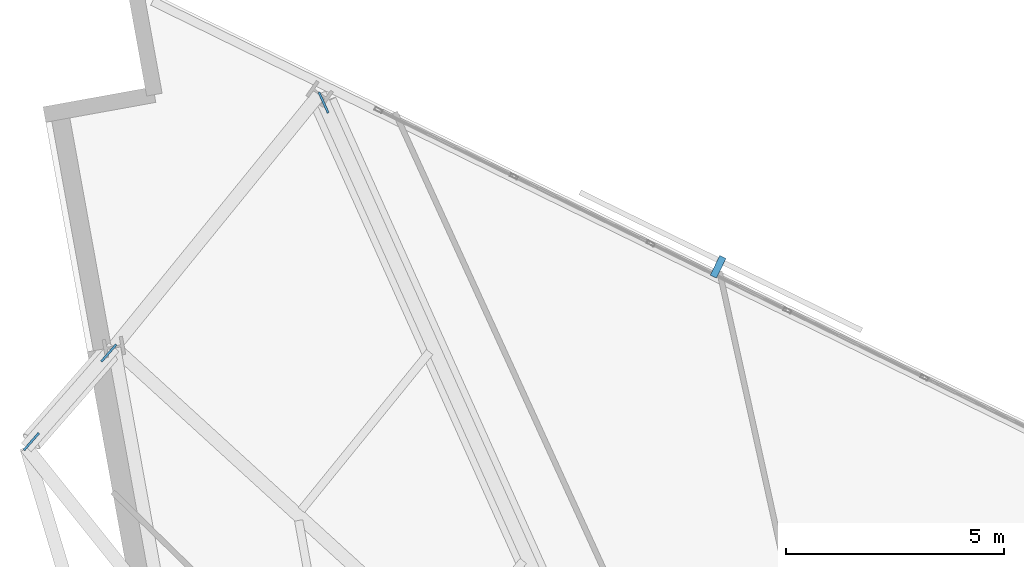
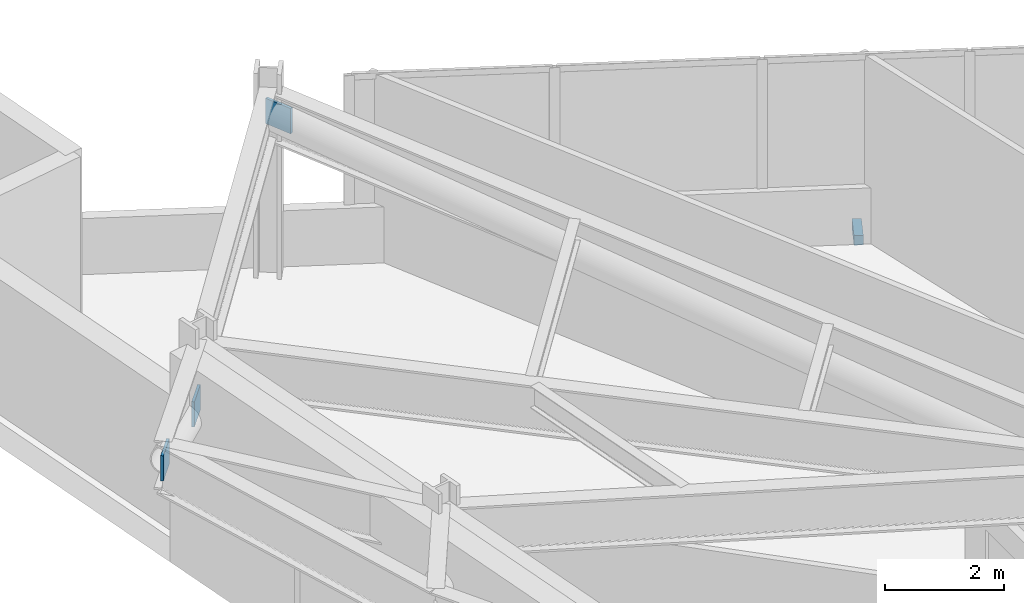
# One storey, part 17 of 19: 4 discrete accessories.
"""IFC4 building model written with IfcOpenShell, lengths in metres."""

import ifcopenshell
import ifcopenshell.guid

model = None  # the IFC model being written
_history = None  # IfcOwnerHistory: only IFC2X3 demands one
_inside = {}  # id of a spatial element -> (the spatial element, [elements in it])
_under = {}  # id of a project, library or spatial element -> (it, [spatial elements below it])
_declared = {}  # id of a project -> (the project, [libraries it declares])
_typed = {}  # id of a type object -> (the type object, [elements of that type])
_made_of = {}  # id of a material, layer set ... -> (it, [elements and type objects made of it])


def new_model(schema):
    """Start an empty IFC model of exactly this schema.

    Asked for "IFC4X3", IfcOpenShell would pick the latest addendum, in which some entities
    have other attributes; the version numbers below select the first issue.
    IFC2X3 requires an IfcOwnerHistory on every rooted entity: one is made here for all.
    """
    global model, _history
    if schema == "IFC4X3":
        model = ifcopenshell.file(schema_version=(4, 3, 0, 0))
    else:
        model = ifcopenshell.file(schema=schema)
    _inside.clear()
    _under.clear()
    _declared.clear()
    _typed.clear()
    _made_of.clear()
    _history = None
    if model.schema == "IFC2X3":
        org = make("IfcOrganization", Name="unknown")
        user = make(
            "IfcPersonAndOrganization",
            ThePerson=make("IfcPerson", FamilyName="unknown"),
            TheOrganization=org,
        )
        app = make(
            "IfcApplication",
            ApplicationDeveloper=org,
            Version="unknown",
            ApplicationFullName="unknown",
            ApplicationIdentifier="unknown",
        )
        _history = make(
            "IfcOwnerHistory",
            OwningUser=user,
            OwningApplication=app,
            ChangeAction="ADDED",
            CreationDate=0,
        )
    return model


def make(cls, **values):
    """One entity of the class cls with the attributes given. An attribute that is None is left unset."""
    return model.create_entity(
        cls, **{name: value for name, value in values.items() if value is not None}
    )


def rooted(cls, **values):
    """An entity with a GlobalId (a new one), such as an element, a storey or a relation."""
    return make(cls, GlobalId=ifcopenshell.guid.new(), OwnerHistory=_history, **values)


def si_unit(unit_type, name, prefix=None):
    """IfcSIUnit, for example si_unit("LENGTHUNIT", "METRE", prefix="MILLI")."""
    return make("IfcSIUnit", UnitType=unit_type, Prefix=prefix, Name=name)


def assignment(units):
    """IfcUnitAssignment: the units of a project."""
    return None if units is None else make("IfcUnitAssignment", Units=units)


def point(xyz):
    """IfcCartesianPoint."""
    return None if xyz is None else make("IfcCartesianPoint", Coordinates=xyz)


def direction(xyz):
    """IfcDirection."""
    return None if xyz is None else make("IfcDirection", DirectionRatios=xyz)


def frame(location, z_axis=None, x_axis=None):
    """IfcAxis2Placement3D, a coordinate frame: its origin and axes. An axis left out is left unset."""
    return make(
        "IfcAxis2Placement3D",
        Location=point(location),
        Axis=direction(z_axis),
        RefDirection=direction(x_axis),
    )


def frame_2d(location, x_axis=None):
    """IfcAxis2Placement2D, a coordinate frame in the plane: its origin and x axis."""
    return make(
        "IfcAxis2Placement2D", Location=point(location), RefDirection=direction(x_axis)
    )


def origin():
    """The frame at (0, 0, 0) with its axes left unset."""
    return frame((0.0, 0.0, 0.0))


def origin_2d():
    """The frame at (0, 0) in the plane with its x axis left unset."""
    return frame_2d((0.0, 0.0))


def place(relative_to, where):
    """IfcLocalPlacement: puts the frame where relative to a parent placement (None: the world)."""
    return make(
        "IfcLocalPlacement", PlacementRelTo=relative_to, RelativePlacement=where
    )


def context(
    kind, dimensions, precision=None, world=None, true_north=None, identifier=None
):
    """IfcGeometricRepresentationContext, for example the 3D "Model" context."""
    return make(
        "IfcGeometricRepresentationContext",
        ContextIdentifier=identifier,
        ContextType=kind,
        CoordinateSpaceDimension=dimensions,
        Precision=precision,
        WorldCoordinateSystem=world,
        TrueNorth=true_north,
    )


def subcontext(parent, identifier, kind, view, scale=None):
    """IfcGeometricRepresentationSubContext, for example "Body" below "Model"."""
    return make(
        "IfcGeometricRepresentationSubContext",
        ContextIdentifier=identifier,
        ContextType=kind,
        ParentContext=parent,
        TargetScale=scale,
        TargetView=view,
    )


def project(units=None, contexts=None):
    """IfcProject with its units and contexts."""
    return rooted(
        "IfcProject",
        Name="project",
        RepresentationContexts=contexts,
        UnitsInContext=assignment(units),
    )


def spatial(cls, under=None, at=None, **own):
    """A site, building, storey or space (cls), placed at a placement, below another one or the project."""
    s = rooted(cls, ObjectPlacement=at, **own)
    if under is not None:
        _under.setdefault(under.id(), (under, []))[1].append(s)
    return s


def profile(cls, at=None, kind="AREA", **sizes):
    """A parametric profile (cls). Its sizes go by their IFC names, for example OverallWidth=200.0."""
    return make(cls, ProfileType=kind, Position=at, **sizes)


def rectangle(**sizes):
    """IfcRectangleProfileDef."""
    return profile("IfcRectangleProfileDef", **sizes)


def extrude(swept, where, along, depth):
    """IfcExtrudedAreaSolid: the profile swept, set in the frame where, extruded along a direction by depth."""
    return make(
        "IfcExtrudedAreaSolid",
        SweptArea=swept,
        Position=where,
        ExtrudedDirection=direction(along),
        Depth=depth,
    )


def shape(context_of_items, identifier, shape_type, items):
    """IfcShapeRepresentation: the items that make up one representation, for example the "Body"."""
    return make(
        "IfcShapeRepresentation",
        ContextOfItems=context_of_items,
        RepresentationIdentifier=identifier,
        RepresentationType=shape_type,
        Items=items,
    )


def material(Name=None, Category=None):
    """IfcMaterial."""
    return make("IfcMaterial", Name=Name, Category=Category)


def made_of(thing, what):
    """Note that an element or type object is made of a material, layer set ...; save() writes the relation."""
    if what is not None:
        _made_of.setdefault(what.id(), (what, []))[1].append(thing)
    return thing


def type_object(cls, material=None, **own):
    """A type object (cls), such as IfcWallType, which elements share."""
    return made_of(rooted(cls, **own), material)


def element(
    cls,
    number,
    at=None,
    inside=None,
    cuts=None,
    type_object=None,
    material=None,
    context=None,
    identifier="Body",
    shape_type=None,
    held_by="IfcProductDefinitionShape",
    body=None,
    shapes=None,
    **own,
):
    """One element of the class cls, such as IfcWall. Its Tag is "e" and its number.

    at: its placement. inside: the storey or other place that contains it. cuts: it is an
    opening in that element (IfcRelVoidsElement). A single representation is given by context,
    identifier, shape_type and body (its items); several are given by shapes. held_by: the class
    of the entity that holds the representations. save() writes the other relations.
    """
    e = rooted(cls, Tag="e%d" % number, ObjectPlacement=at, **own)
    if body is not None:
        shapes = [shape(context, identifier, shape_type, body)]
    if shapes is not None:
        e.Representation = make(held_by, Representations=shapes)
    if inside is not None:
        _inside.setdefault(inside.id(), (inside, []))[1].append(e)
    if cuts is not None:
        rooted(
            "IfcRelVoidsElement", RelatingBuildingElement=cuts, RelatedOpeningElement=e
        )
    if type_object is not None:
        _typed.setdefault(type_object.id(), (type_object, []))[1].append(e)
    return made_of(e, material)


def aggregate(whole, parts):
    """IfcRelAggregates: a whole, such as a stair, and the parts it consists of."""
    return rooted("IfcRelAggregates", RelatingObject=whole, RelatedObjects=parts)


def save(model, path):
    """Write the relations noted so far, then the file.

    IfcRelAggregates (storeys below a building ...), IfcRelContainedInSpatialStructure (elements
    in a storey), IfcRelDefinesByType, IfcRelAssociatesMaterial and IfcRelDeclares: one each for
    every whole, place, type object, material and project.
    """
    for whole, parts in _under.values():
        aggregate(whole, parts)
    for where, things in _inside.values():
        rooted(
            "IfcRelContainedInSpatialStructure",
            RelatedElements=things,
            RelatingStructure=where,
        )
    for kind, things in _typed.values():
        rooted("IfcRelDefinesByType", RelatedObjects=things, RelatingType=kind)
    for what, things in _made_of.values():
        rooted("IfcRelAssociatesMaterial", RelatedObjects=things, RelatingMaterial=what)
    for by, libraries in _declared.values():
        rooted("IfcRelDeclares", RelatingContext=by, RelatedDefinitions=libraries)
    model.write(path)


model = new_model("IFC4")

# Units and contexts
model_context = context("Model", 3, precision=1e-05, world=origin(), true_north=direction((0.0, 1.0)))
body_context = subcontext(model_context, "Body", "Model", "MODEL_VIEW")
ifc_project = project(units=[si_unit("LENGTHUNIT", "METRE"), si_unit("AREAUNIT", "SQUARE_METRE"), si_unit("VOLUMEUNIT", "CUBIC_METRE"), si_unit("PLANEANGLEUNIT", "RADIAN"), si_unit("MASSUNIT", "GRAM", prefix="KILO")], contexts=[model_context])

# Site, building, storey
site_placement = place(None, origin())
site = spatial("IfcSite", under=ifc_project, at=site_placement, CompositionType="ELEMENT")
building_placement = place(site_placement, origin())
building = spatial("IfcBuilding", under=site, at=building_placement, Name="Narakoshi Arena Tower", CompositionType="ELEMENT")
storey_placement = place(building_placement, frame((0.0, 0.0, 128.10009765625)))
storey = spatial("IfcBuildingStorey", under=building, at=storey_placement, Name="L34", CompositionType="ELEMENT", Elevation=128.10009765625)

# Discrete accessories
ifc_material_1 = material(Name="Structural steel S355J2", Category="steel")
discrete_accessory_type_1 = type_object("IfcDiscreteAccessoryType", Name="ACC-BRK-SCR", PredefinedType="BRACKET", material=ifc_material_1)
discrete_accessory_placement = place(storey_placement, frame((73.46923828125, 69.6611328125, -0.080078125), z_axis=(0.0, 0.0, 1.0), x_axis=(-0.897996860024, 0.440001862936, 0.0)))
element("IfcDiscreteAccessory", 1, at=discrete_accessory_placement, inside=storey, type_object=discrete_accessory_type_1, Name="L34 Solar Screen Support Bracket SHD-L34-PLV2-2", PredefinedType="BRACKET", context=body_context, shape_type="SweptSolid", body=[
    extrude(rectangle(XDim=0.159912109375, YDim=0.5, at=origin_2d()), origin(), (0.0, 0.0, 1.0), 0.199951171875),
])
ifc_material_2 = material(Name="Structural steel S460ML", Category="steel")
discrete_accessory_type_2 = type_object("IfcDiscreteAccessoryType", Name="ACC-GUS-PLT", PredefinedType="BRACKET", material=ifc_material_2)
for number, where, z_axis, x_axis, name in (
    (2, (59.47509765625, 67.680419921875, 2.289794921875), (0.0, 0.0, 1.0), (0.657901172046, 0.753104274202, 0.0), "L34 Brace Node Gusset Plate 0158"),
    (3, (57.69921875, 65.647705078125, 3.035888671875), (0.0, 0.0, 1.0), (0.657901172046, 0.753104274202, 0.0), "L34 Brace Node Gusset Plate 0159"),
    (4, (64.40771484375, 73.432373046875, 3.035888671875), (0.0, 0.0, 1.0), (-0.409126902895, 0.912477494148, 0.0), "L34 Brace Node Gusset Plate 0165"),
):
    element("IfcDiscreteAccessory", number, at=place(storey_placement, frame(where, z_axis=z_axis, x_axis=x_axis)), inside=storey, type_object=discrete_accessory_type_2, Name=name, PredefinedType="BRACKET", context=body_context, shape_type="SweptSolid", body=[
        extrude(rectangle(XDim=0.52001953125, YDim=0.050048828125, at=origin_2d()), origin(), (0.0, 0.0, 1.0), 0.52001953125),
    ])

save(model, "model.ifc")
